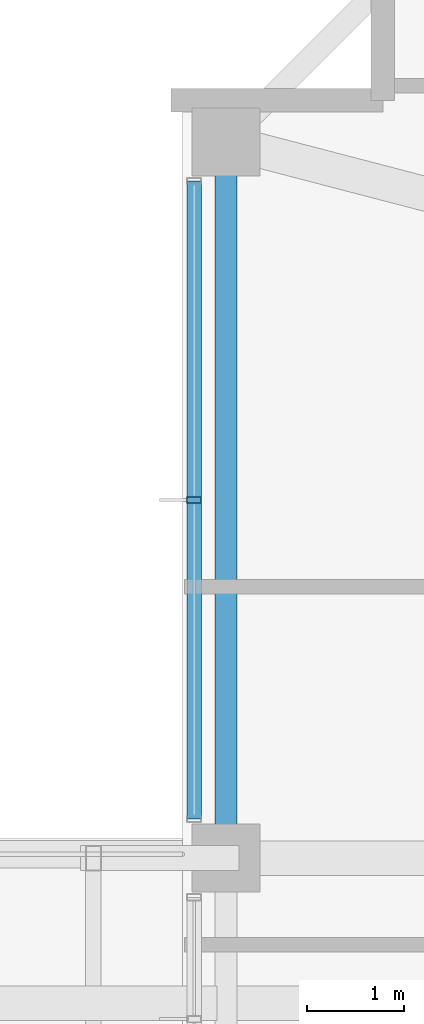
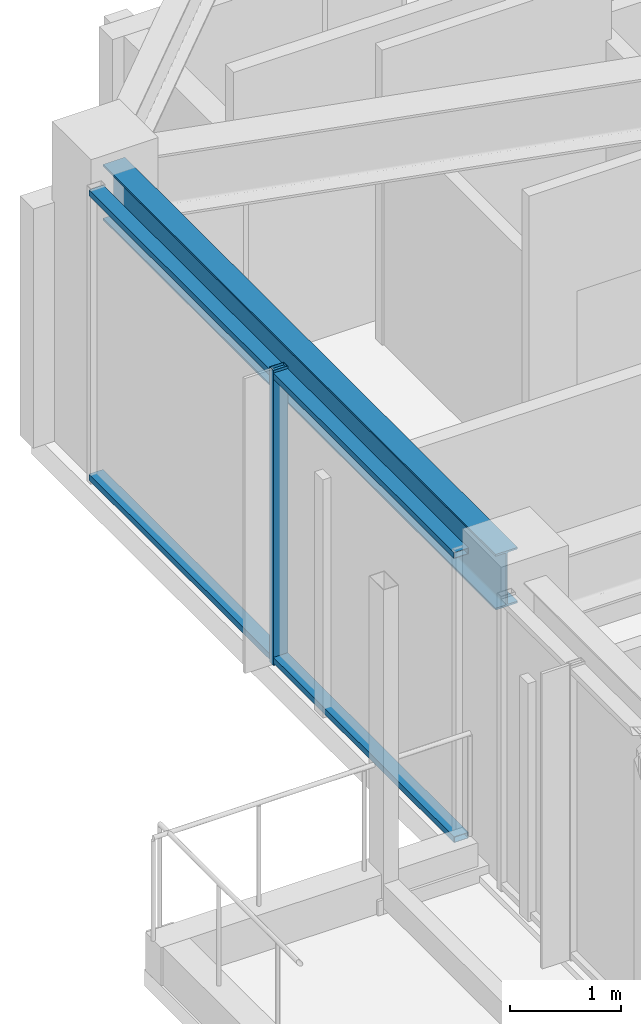
# One storey, part 10 of 34: 3 members, 1 beam, 1 element without a shape of its own.
"""IFC4 building model written with IfcOpenShell, lengths in metres."""

from ifc_helpers import new_model, si_unit, direction, frame, origin, origin_2d, place, context, subcontext, project, spatial, hollow_rectangle, i_section, extrude, material, material_profile, profile_set, type_object, element, aggregate, save


model = new_model("IFC4")

# Units and contexts
model_context = context("Model", 3, precision=1e-05, world=origin(), true_north=direction((0.0, 1.0)))
body_context = subcontext(model_context, "Body", "Model", "MODEL_VIEW")
ifc_project = project(units=[si_unit("LENGTHUNIT", "METRE"), si_unit("AREAUNIT", "SQUARE_METRE"), si_unit("VOLUMEUNIT", "CUBIC_METRE"), si_unit("PLANEANGLEUNIT", "RADIAN"), si_unit("MASSUNIT", "GRAM", prefix="KILO")], contexts=[model_context])

# Site, building, storey
site_placement = place(None, origin())
site = spatial("IfcSite", under=ifc_project, at=site_placement, CompositionType="ELEMENT")
building_placement = place(site_placement, origin())
building = spatial("IfcBuilding", under=site, at=building_placement, Name="Kolvaren Belvedere", CompositionType="ELEMENT")
storey_placement = place(building_placement, frame((0.0, 0.0, 240.89990234375)))
storey = spatial("IfcBuildingStorey", under=building, at=storey_placement, Name="L70", CompositionType="ELEMENT", Elevation=240.89990234375)

# Beam
ifc_material_1 = material(Name="Structural steel ASTM A992 Grade 50", Category="steel")
ifc_material_profile_1 = material_profile(ifc_material_1, i_section(OverallWidth=0.22900390625, OverallDepth=0.612060546875, WebThickness=0.011962890625, FlangeThickness=0.01953125, FilletRadius=0.01806640625, at=origin_2d()), Name="W24X84")
ifc_profile_set_1 = profile_set([ifc_material_profile_1], Name="Structural steel ASTM A992 Grade 50")
beam_type = type_object("IfcBeamType", Name="BM-SPAN-W24X84", PredefinedType="SPANDREL", material=ifc_profile_set_1)
beam_placement = place(storey_placement, frame((-17.949951171875, 11.842529296875, 2.944091796875), z_axis=(0.0, -1.0, 0.0), x_axis=(1.0, 0.0, 0.0)))
element("IfcBeam", 1, at=beam_placement, inside=storey, type_object=beam_type, Name="L70 Perimeter Spandrel W4-W3", PredefinedType="SPANDREL", context=body_context, shape_type="SweptSolid", body=[
    extrude(i_section(OverallWidth=0.22900390625, OverallDepth=0.612060546875, WebThickness=0.011962890625, FlangeThickness=0.01953125, FilletRadius=0.01806640625, at=origin_2d()), origin(), (0.0, 0.0, 1.0), 7.0849609375),
])

# Curtain wall, members
ifc_material_2 = material(Name="Anodised pale-metal aluminium AA 6063-T6", Category="aluminium")
curtain_wall_type = type_object("IfcCurtainWallType", Name="CW-Z5-HIGH", PredefinedType="NOTDEFINED", material=ifc_material_2)
curtain_wall_placement = place(storey_placement, origin())
curtain_wall = element("IfcCurtainWall", 2, at=curtain_wall_placement, inside=storey, type_object=curtain_wall_type, Name="L70 Unitised Curtain Wall FCW-L70-W2-B2", PredefinedType="NOTDEFINED")
ifc_material_3 = material(Name="Anodised pale-metal aluminium AA 6063-T6", Category="aluminium")
ifc_material_profile_2 = material_profile(ifc_material_3, hollow_rectangle(XDim=0.070068359375, YDim=0.14990234375, WallThickness=0.004150390625, at=origin_2d()), Name="ALU-MUL-150X70")
ifc_profile_set_2 = profile_set([ifc_material_profile_2], Name="Anodised pale-metal aluminium AA 6063-T6")
member_type_1 = type_object("IfcMemberType", Name="CW-MUL-150", PredefinedType="MULLION", material=ifc_profile_set_2)
member_1_placement = place(storey_placement, frame((-18.280029296875, 8.300048828125, 0.0), z_axis=(0.0, 0.0, 1.0), x_axis=(0.0, 1.0, 0.0)))
member_1 = element("IfcMember", 3, at=member_1_placement, type_object=member_type_1, Name="FCW-L70-W2-B2 Unitised Mullion 2", PredefinedType="MULLION", context=body_context, shape_type="SweptSolid", body=[
    extrude(hollow_rectangle(XDim=0.070068359375, YDim=0.14990234375, WallThickness=0.004150390625, at=origin_2d()), origin(), (0.0, 0.0, 1.0), 3.25),
])
ifc_material_4 = material(Name="Anodised pale-metal aluminium AA 6063-T6", Category="aluminium")
ifc_material_profile_3 = material_profile(ifc_material_4, hollow_rectangle(XDim=0.06494140625, YDim=0.14990234375, WallThickness=0.00390625, at=origin_2d()), Name="ALU-TRN-150X65")
ifc_profile_set_3 = profile_set([ifc_material_profile_3], Name="Anodised pale-metal aluminium AA 6063-T6")
member_type_2 = type_object("IfcMemberType", Name="CW-TRN-150", PredefinedType="USERDEFINED", material=ifc_profile_set_3)
member_2_placement = place(storey_placement, frame((-18.280029296875, 5.0048828125, 0.06005859375), z_axis=(0.0, 1.0, 0.0), x_axis=(0.0, 0.0, 1.0)))
member_2 = element("IfcMember", 4, at=member_2_placement, type_object=member_type_2, Name="FCW-L70-W2-B2 Sill Transom", ObjectType="TRANSOM", PredefinedType="USERDEFINED", context=body_context, shape_type="SweptSolid", body=[
    extrude(hollow_rectangle(XDim=0.06494140625, YDim=0.14990234375, WallThickness=0.00390625, at=origin_2d()), origin(), (0.0, 0.0, 1.0), 6.590087890625),
])
member_3_placement = place(storey_placement, frame((-18.280029296875, 5.0048828125, 3.190185546875), z_axis=(0.0, 1.0, 0.0), x_axis=(0.0, 0.0, 1.0)))
member_3 = element("IfcMember", 5, at=member_3_placement, type_object=member_type_2, Name="FCW-L70-W2-B2 Head Transom", ObjectType="TRANSOM", PredefinedType="USERDEFINED", context=body_context, shape_type="SweptSolid", body=[
    extrude(hollow_rectangle(XDim=0.06494140625, YDim=0.14990234375, WallThickness=0.00390625, at=origin_2d()), origin(), (0.0, 0.0, 1.0), 6.590087890625),
])
aggregate(curtain_wall, [member_1, member_2, member_3])

save(model, "model.ifc")
